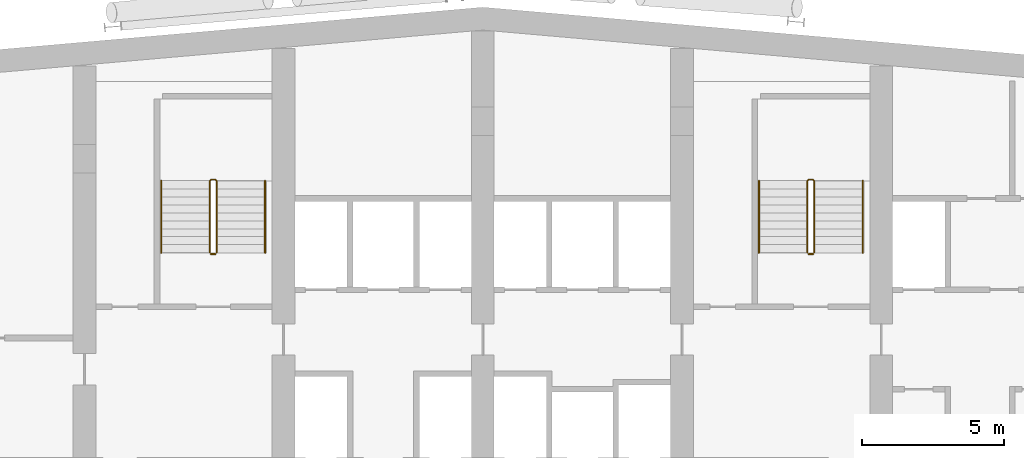
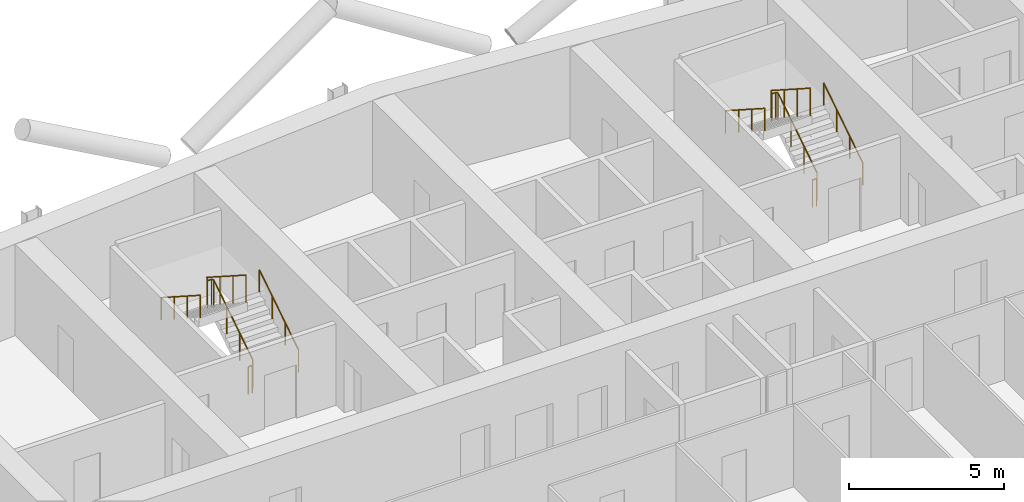
# One storey, part 27 of 27: 8 railings.
"""IFC4 building model written with IfcOpenShell, lengths in metres."""

from ifc_helpers import new_model, si_unit, direction, frame, origin, origin_2d, place, context, subcontext, project, spatial, circle, extrude, material, type_object, element, save


model = new_model("IFC4")

# Units and contexts
model_context = context("Model", 3, precision=1e-05, world=origin(), true_north=direction((0.0, 1.0)))
body_context = subcontext(model_context, "Body", "Model", "MODEL_VIEW")
ifc_project = project(units=[si_unit("LENGTHUNIT", "METRE"), si_unit("AREAUNIT", "SQUARE_METRE"), si_unit("VOLUMEUNIT", "CUBIC_METRE"), si_unit("PLANEANGLEUNIT", "RADIAN"), si_unit("MASSUNIT", "GRAM", prefix="KILO")], contexts=[model_context])

# Site, building, storey
site_placement = place(None, origin())
site = spatial("IfcSite", under=ifc_project, at=site_placement, CompositionType="ELEMENT")
building_placement = place(site_placement, origin())
building = spatial("IfcBuilding", under=site, at=building_placement, Name="Wharfspan Tower", CompositionType="ELEMENT")
storey_placement = place(building_placement, frame((0.0, 0.0, 195.100098)))
storey = spatial("IfcBuildingStorey", under=building, at=storey_placement, Name="L48", CompositionType="ELEMENT", Elevation=195.100098)

# Railings
ifc_material = material(Name="Steel S355J2", Category="steel")
railing_type_1 = type_object("IfcRailingType", Name="Stair guard 1100", PredefinedType="GUARDRAIL", material=ifc_material)
railing_1_placement = place(storey_placement, frame((27.649902, 42.0, 0.179932)))
element("IfcRailing", 1, at=railing_1_placement, inside=storey, type_object=railing_type_1, Name="L48 ST1 stair guard 1", PredefinedType="GUARDRAIL", context=body_context, shape_type="SweptSolid", body=[
    extrude(circle(Radius=0.023926, at=origin_2d()), frame((0.0, 0.0, 1.076172), z_axis=(0.0, 0.8412, 0.540725), x_axis=(-1.0, 0.0, 0.0)), (0.0, 0.0, 1.0), 2.99585),
    extrude(circle(Radius=0.023926, at=origin_2d()), frame((0.0, 2.52002, 2.695801), z_axis=(-0.705376, 0.708834, 0.0), x_axis=(-0.708834, -0.705376, 0.0)), (0.0, 0.0, 1.0), 0.070557),
    extrude(circle(Radius=0.023926, at=origin_2d()), frame((-0.049805, 2.570068, 2.695801), z_axis=(-1.0, 0.0, 0.0), x_axis=(0.0, -1.0, 0.0)), (0.0, 0.0, 1.0), 0.150146),
    extrude(circle(Radius=0.023926, at=origin_2d()), frame((-0.199951, 2.570068, 2.695801), z_axis=(-0.258544, -0.258544, 0.930758), x_axis=(0.707107, -0.707107, 0.0)), (0.0, 0.0, 1.0), 0.193604),
    extrude(circle(Radius=0.023926, at=origin_2d()), frame((-0.25, 2.52002, 2.875977), z_axis=(0.0, -0.8412, 0.540725), x_axis=(1.0, 0.0, 0.0)), (0.0, 0.0, 1.0), 2.99585),
    extrude(circle(Radius=0.020996, at=origin_2d()), origin(), (0.0, 0.0, 1.0), 1.052002),
    extrude(circle(Radius=0.020996, at=origin_2d()), frame((0.0, 0.840088, 0.540039)), (0.0, 0.0, 1.0), 1.052002),
    extrude(circle(Radius=0.020996, at=origin_2d()), frame((0.0, 1.679932, 1.079834)), (0.0, 0.0, 1.0), 1.052002),
    extrude(circle(Radius=0.020996, at=origin_2d()), frame((0.0, 2.52002, 1.619873)), (0.0, 0.0, 1.0), 1.052002),
    extrude(circle(Radius=0.020996, at=origin_2d()), frame((-0.049805, 2.570068, 1.619873)), (0.0, 0.0, 1.0), 1.052002),
    extrude(circle(Radius=0.020996, at=origin_2d()), frame((-0.199951, 2.570068, 1.619873)), (0.0, 0.0, 1.0), 1.052002),
    extrude(circle(Radius=0.020996, at=origin_2d()), frame((-0.25, 2.52002, 1.800049)), (0.0, 0.0, 1.0), 1.052002),
    extrude(circle(Radius=0.020996, at=origin_2d()), frame((-0.25, 1.679932, 2.340088)), (0.0, 0.0, 1.0), 1.052002),
    extrude(circle(Radius=0.020996, at=origin_2d()), frame((-0.25, 0.840088, 2.879883)), (0.0, 0.0, 1.0), 1.052002),
    extrude(circle(Radius=0.020996, at=origin_2d()), frame((-0.25, 0.0, 3.419922)), (0.0, 0.0, 1.0), 1.052002),
])
railing_2_placement = place(storey_placement, frame((27.600098, 41.949951, 0.0)))
element("IfcRailing", 2, at=railing_2_placement, inside=storey, type_object=railing_type_1, Name="L48 ST1 stair guard 2", PredefinedType="GUARDRAIL", context=body_context, shape_type="SweptSolid", body=[
    extrude(circle(Radius=0.023926, at=origin_2d()), frame((0.0, 0.0, 1.076172), z_axis=(-1.0, 0.0, 0.0), x_axis=(0.0, -1.0, 0.0)), (0.0, 0.0, 1.0), 0.150146),
    extrude(circle(Radius=0.020996, at=origin_2d()), origin(), (0.0, 0.0, 1.0), 1.052002),
    extrude(circle(Radius=0.020996, at=origin_2d()), frame((-0.150146, 0.0, 0.0)), (0.0, 0.0, 1.0), 1.052002),
])
railing_3_placement = place(storey_placement, frame((48.649902, 42.0, 0.179932)))
element("IfcRailing", 3, at=railing_3_placement, inside=storey, type_object=railing_type_1, Name="L48 ST2 stair guard 1", PredefinedType="GUARDRAIL", context=body_context, shape_type="SweptSolid", body=[
    extrude(circle(Radius=0.023926, at=origin_2d()), frame((0.0, 0.0, 1.076172), z_axis=(0.0, 0.8412, 0.540725), x_axis=(-1.0, 0.0, 0.0)), (0.0, 0.0, 1.0), 2.99585),
    extrude(circle(Radius=0.023926, at=origin_2d()), frame((0.0, 2.52002, 2.695801), z_axis=(-0.705376, 0.708834, 0.0), x_axis=(-0.708834, -0.705376, 0.0)), (0.0, 0.0, 1.0), 0.070557),
    extrude(circle(Radius=0.023926, at=origin_2d()), frame((-0.049805, 2.570068, 2.695801), z_axis=(-1.0, 0.0, 0.0), x_axis=(0.0, -1.0, 0.0)), (0.0, 0.0, 1.0), 0.150146),
    extrude(circle(Radius=0.023926, at=origin_2d()), frame((-0.199951, 2.570068, 2.695801), z_axis=(-0.258544, -0.258544, 0.930758), x_axis=(0.707107, -0.707107, 0.0)), (0.0, 0.0, 1.0), 0.193604),
    extrude(circle(Radius=0.023926, at=origin_2d()), frame((-0.25, 2.52002, 2.875977), z_axis=(0.0, -0.8412, 0.540725), x_axis=(1.0, 0.0, 0.0)), (0.0, 0.0, 1.0), 2.99585),
    extrude(circle(Radius=0.020996, at=origin_2d()), origin(), (0.0, 0.0, 1.0), 1.052002),
    extrude(circle(Radius=0.020996, at=origin_2d()), frame((0.0, 0.840088, 0.540039)), (0.0, 0.0, 1.0), 1.052002),
    extrude(circle(Radius=0.020996, at=origin_2d()), frame((0.0, 1.679932, 1.079834)), (0.0, 0.0, 1.0), 1.052002),
    extrude(circle(Radius=0.020996, at=origin_2d()), frame((0.0, 2.52002, 1.619873)), (0.0, 0.0, 1.0), 1.052002),
    extrude(circle(Radius=0.020996, at=origin_2d()), frame((-0.049805, 2.570068, 1.619873)), (0.0, 0.0, 1.0), 1.052002),
    extrude(circle(Radius=0.020996, at=origin_2d()), frame((-0.199951, 2.570068, 1.619873)), (0.0, 0.0, 1.0), 1.052002),
    extrude(circle(Radius=0.020996, at=origin_2d()), frame((-0.25, 2.52002, 1.800049)), (0.0, 0.0, 1.0), 1.052002),
    extrude(circle(Radius=0.020996, at=origin_2d()), frame((-0.25, 1.679932, 2.340088)), (0.0, 0.0, 1.0), 1.052002),
    extrude(circle(Radius=0.020996, at=origin_2d()), frame((-0.25, 0.840088, 2.879883)), (0.0, 0.0, 1.0), 1.052002),
    extrude(circle(Radius=0.020996, at=origin_2d()), frame((-0.25, 0.0, 3.419922)), (0.0, 0.0, 1.0), 1.052002),
])
railing_4_placement = place(storey_placement, frame((48.600098, 41.949951, 0.0)))
element("IfcRailing", 4, at=railing_4_placement, inside=storey, type_object=railing_type_1, Name="L48 ST2 stair guard 2", PredefinedType="GUARDRAIL", context=body_context, shape_type="SweptSolid", body=[
    extrude(circle(Radius=0.023926, at=origin_2d()), frame((0.0, 0.0, 1.076172), z_axis=(-1.0, 0.0, 0.0), x_axis=(0.0, -1.0, 0.0)), (0.0, 0.0, 1.0), 0.150146),
    extrude(circle(Radius=0.020996, at=origin_2d()), origin(), (0.0, 0.0, 1.0), 1.052002),
    extrude(circle(Radius=0.020996, at=origin_2d()), frame((-0.150146, 0.0, 0.0)), (0.0, 0.0, 1.0), 1.052002),
])
railing_type_2 = type_object("IfcRailingType", Name="Stair handrail 900", PredefinedType="HANDRAIL", material=ifc_material)
railing_5_placement = place(storey_placement, frame((29.350098, 42.0, 0.179932)))
element("IfcRailing", 5, at=railing_5_placement, inside=storey, type_object=railing_type_2, Name="L48 ST1 stair handrail 1", PredefinedType="HANDRAIL", context=body_context, shape_type="SweptSolid", body=[
    extrude(circle(Radius=0.023926, at=origin_2d()), frame((0.0, 0.0, 0.875977), z_axis=(0.0, 0.8412, 0.540725), x_axis=(-1.0, 0.0, 0.0)), (0.0, 0.0, 1.0), 2.99585),
    extrude(circle(Radius=0.020996, at=origin_2d()), origin(), (0.0, 0.0, 1.0), 0.851807),
    extrude(circle(Radius=0.020996, at=origin_2d()), frame((0.0, 0.840088, 0.540039)), (0.0, 0.0, 1.0), 0.851807),
    extrude(circle(Radius=0.020996, at=origin_2d()), frame((0.0, 1.679932, 1.079834)), (0.0, 0.0, 1.0), 0.851807),
    extrude(circle(Radius=0.020996, at=origin_2d()), frame((0.0, 2.52002, 1.619873)), (0.0, 0.0, 1.0), 0.851807),
])
railing_6_placement = place(storey_placement, frame((25.699951, 44.52002, 1.97998)))
element("IfcRailing", 6, at=railing_6_placement, inside=storey, type_object=railing_type_2, Name="L48 ST1 stair handrail 2", PredefinedType="HANDRAIL", context=body_context, shape_type="SweptSolid", body=[
    extrude(circle(Radius=0.023926, at=origin_2d()), frame((0.0, 0.0, 0.875977), z_axis=(0.0, -0.8412, 0.540725), x_axis=(1.0, 0.0, 0.0)), (0.0, 0.0, 1.0), 2.99585),
    extrude(circle(Radius=0.020996, at=origin_2d()), origin(), (0.0, 0.0, 1.0), 0.851807),
    extrude(circle(Radius=0.020996, at=origin_2d()), frame((0.0, -0.840088, 0.540039)), (0.0, 0.0, 1.0), 0.851807),
    extrude(circle(Radius=0.020996, at=origin_2d()), frame((0.0, -1.679932, 1.079834)), (0.0, 0.0, 1.0), 0.851807),
    extrude(circle(Radius=0.020996, at=origin_2d()), frame((0.0, -2.52002, 1.619873)), (0.0, 0.0, 1.0), 0.851807),
])
railing_7_placement = place(storey_placement, frame((50.350098, 42.0, 0.179932)))
element("IfcRailing", 7, at=railing_7_placement, inside=storey, type_object=railing_type_2, Name="L48 ST2 stair handrail 1", PredefinedType="HANDRAIL", context=body_context, shape_type="SweptSolid", body=[
    extrude(circle(Radius=0.023926, at=origin_2d()), frame((0.0, 0.0, 0.875977), z_axis=(0.0, 0.8412, 0.540725), x_axis=(-1.0, 0.0, 0.0)), (0.0, 0.0, 1.0), 2.99585),
    extrude(circle(Radius=0.020996, at=origin_2d()), origin(), (0.0, 0.0, 1.0), 0.851807),
    extrude(circle(Radius=0.020996, at=origin_2d()), frame((0.0, 0.840088, 0.540039)), (0.0, 0.0, 1.0), 0.851807),
    extrude(circle(Radius=0.020996, at=origin_2d()), frame((0.0, 1.679932, 1.079834)), (0.0, 0.0, 1.0), 0.851807),
    extrude(circle(Radius=0.020996, at=origin_2d()), frame((0.0, 2.52002, 1.619873)), (0.0, 0.0, 1.0), 0.851807),
])
railing_8_placement = place(storey_placement, frame((46.699951, 44.52002, 1.97998)))
element("IfcRailing", 8, at=railing_8_placement, inside=storey, type_object=railing_type_2, Name="L48 ST2 stair handrail 2", PredefinedType="HANDRAIL", context=body_context, shape_type="SweptSolid", body=[
    extrude(circle(Radius=0.023926, at=origin_2d()), frame((0.0, 0.0, 0.875977), z_axis=(0.0, -0.8412, 0.540725), x_axis=(1.0, 0.0, 0.0)), (0.0, 0.0, 1.0), 2.99585),
    extrude(circle(Radius=0.020996, at=origin_2d()), origin(), (0.0, 0.0, 1.0), 0.851807),
    extrude(circle(Radius=0.020996, at=origin_2d()), frame((0.0, -0.840088, 0.540039)), (0.0, 0.0, 1.0), 0.851807),
    extrude(circle(Radius=0.020996, at=origin_2d()), frame((0.0, -1.679932, 1.079834)), (0.0, 0.0, 1.0), 0.851807),
    extrude(circle(Radius=0.020996, at=origin_2d()), frame((0.0, -2.52002, 1.619873)), (0.0, 0.0, 1.0), 0.851807),
])

save(model, "model.ifc")
